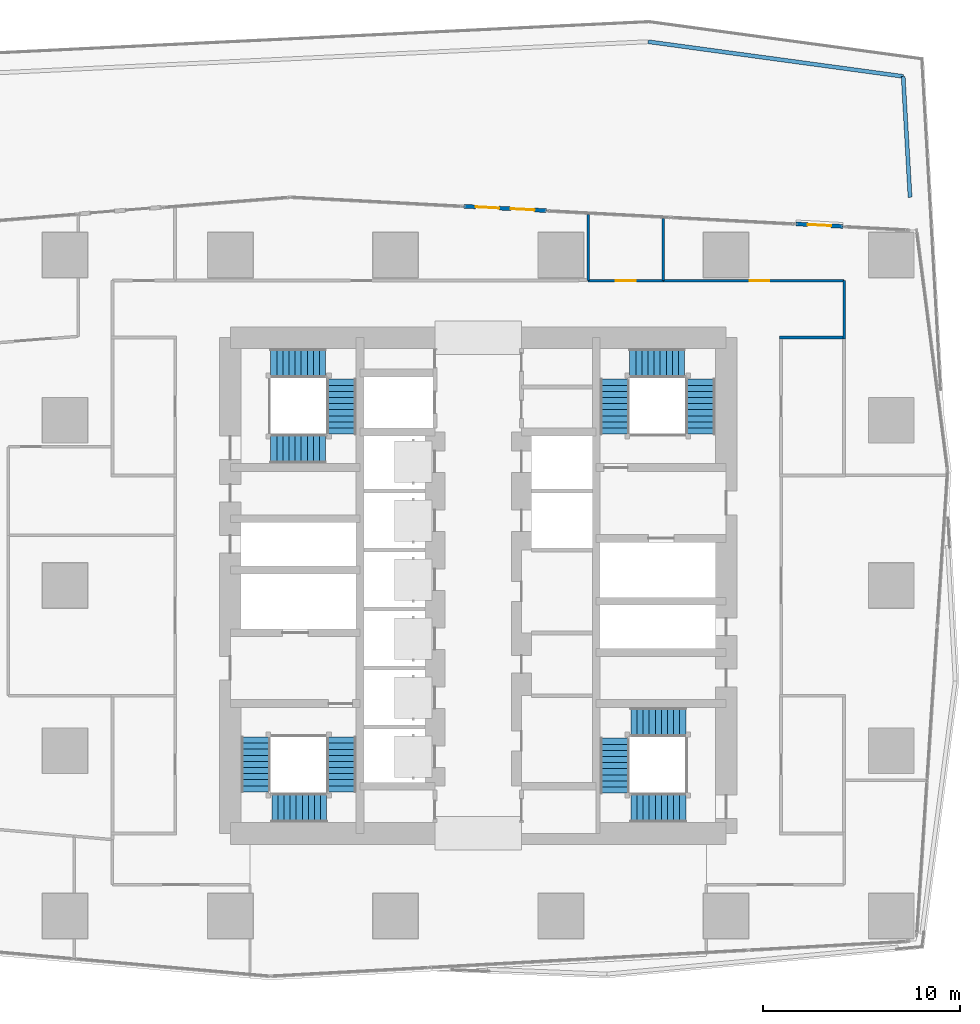
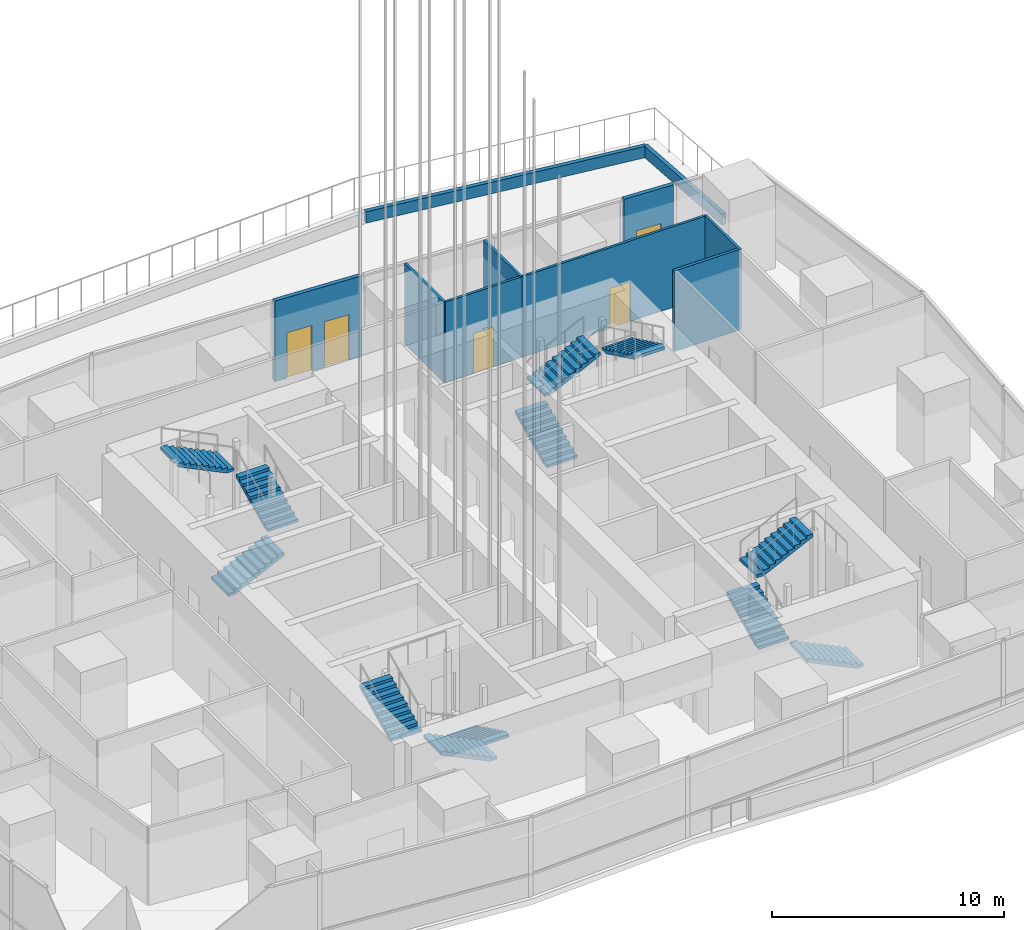
# One storey, part 18 of 39: 12 stair flights, 10 walls, 5 doors, 5 openings, 4 elements without a shape of their own.
"""IFC4 building model written with IfcOpenShell, lengths in metres."""

from ifc_helpers import new_model, si_unit, direction, frame, frame_2d, origin, place, context, subcontext, project, spatial, polyline, rectangle, outline, extrude, material, layer, layer_set, type_object, element, fill, aggregate, save


model = new_model("IFC4")

# Units and contexts
model_context = context("Model", 3, precision=1e-05, world=origin(), true_north=direction((0.0, 1.0)))
body_context = subcontext(model_context, "Body", "Model", "MODEL_VIEW")
ifc_project = project(units=[si_unit("LENGTHUNIT", "METRE"), si_unit("AREAUNIT", "SQUARE_METRE"), si_unit("VOLUMEUNIT", "CUBIC_METRE"), si_unit("PLANEANGLEUNIT", "RADIAN"), si_unit("MASSUNIT", "GRAM", prefix="KILO")], contexts=[model_context])

# Site, building, storey
site_placement = place(None, origin())
site = spatial("IfcSite", under=ifc_project, at=site_placement, CompositionType="ELEMENT")
building_placement = place(site_placement, origin())
building = spatial("IfcBuilding", under=site, at=building_placement, Name="Rekha Terrace Tower", CompositionType="ELEMENT")
storey_placement = place(building_placement, frame((0.0, 0.0, 245.60009765625)))
storey = spatial("IfcBuildingStorey", under=building, at=storey_placement, Name="L62", CompositionType="ELEMENT", Elevation=245.60009765625)

# Wall, openings, doors
ifc_material_1 = material(Name="Aluminium-faced insulated screen wall", Category="aluminium")
ifc_layer_1 = layer(ifc_material_1, 0.199951171875)
ifc_layer_set_1 = layer_set([ifc_layer_1], Name="Aluminium-faced insulated screen wall")
wall_type_1 = type_object("IfcWallType", Name="EW3 terrace door screen wall 200", PredefinedType="SOLIDWALL", material=ifc_layer_set_1)
wall_1_placement = place(storey_placement, frame((41.26025390625, 52.6591796875, 0.0), z_axis=(0.0, 0.0, 1.0), x_axis=(-0.998590720997, 0.053071385312, 0.0)))
wall_1 = element("IfcWall", 1, at=wall_1_placement, inside=storey, type_object=wall_type_1, Name="Terrace door screen wall", PredefinedType="SOLIDWALL", context=body_context, shape_type="SweptSolid", body=[
    extrude(rectangle(XDim=4.199951171875, YDim=0.199951171875, at=frame_2d((2.10009765625, 0.0))), origin(), (0.0, 0.0, 1.0), 4.25),
])
opening_1_placement = place(wall_1_placement, frame((0.60009765625, 0.0, 0.0)))
opening_1 = element("IfcOpeningElement", 2, at=opening_1_placement, cuts=wall_1, Name="Opening ED4", PredefinedType="OPENING", context=body_context, shape_type="SweptSolid", body=[
    extrude(rectangle(XDim=1.199951171875, YDim=2.39990234375, at=frame_2d((0.60009765625, 1.199951171875))), frame((0.0, 0.10986328125, 0.0), z_axis=(0.0, -1.0, 0.0), x_axis=(1.0, 0.0, 0.0)), (0.0, 0.0, 1.0), 0.219970703125),
])
opening_2_placement = place(wall_1_placement, frame((2.39990234375, 0.0, 0.0)))
opening_2 = element("IfcOpeningElement", 3, at=opening_2_placement, cuts=wall_1, Name="Opening ED4", PredefinedType="OPENING", context=body_context, shape_type="SweptSolid", body=[
    extrude(rectangle(XDim=1.199951171875, YDim=2.39990234375, at=frame_2d((0.60009765625, 1.199951171875))), frame((0.0, 0.10986328125, 0.0), z_axis=(0.0, -1.0, 0.0), x_axis=(1.0, 0.0, 0.0)), (0.0, 0.0, 1.0), 0.219970703125),
])
ifc_material_2 = material(Name="Aluminium framed laminated glass door", Category="aluminium")
door_type_1 = type_object("IfcDoorType", Name="ED4 glazed terrace door 1200 x 2400", OperationType="SINGLE_SWING_LEFT", PredefinedType="DOOR", material=ifc_material_2)
door_1_placement = place(opening_1_placement, origin())
door_1 = element("IfcDoor", 4, at=door_1_placement, inside=storey, type_object=door_type_1, Name="Terrace door", OperationType="SINGLE_SWING_LEFT", OverallHeight=2.39990234375, OverallWidth=1.199951171875, PredefinedType="DOOR", context=body_context, shape_type="SweptSolid", body=[
    extrude(rectangle(XDim=1.199951171875, YDim=2.39990234375, at=frame_2d((0.60009765625, 1.199951171875))), frame((0.0, 0.02490234375, 0.0), z_axis=(0.0, -1.0, 0.0), x_axis=(1.0, 0.0, 0.0)), (0.0, 0.0, 1.0), 0.050048828125),
])
fill(opening_1, door_1)
door_2_placement = place(opening_2_placement, origin())
door_2 = element("IfcDoor", 5, at=door_2_placement, inside=storey, type_object=door_type_1, Name="Terrace door", OperationType="SINGLE_SWING_LEFT", OverallHeight=2.39990234375, OverallWidth=1.199951171875, PredefinedType="DOOR", context=body_context, shape_type="SweptSolid", body=[
    extrude(rectangle(XDim=1.199951171875, YDim=2.39990234375, at=frame_2d((0.60009765625, 1.199951171875))), frame((0.0, 0.02490234375, 0.0), z_axis=(0.0, -1.0, 0.0), x_axis=(1.0, 0.0, 0.0)), (0.0, 0.0, 1.0), 0.050048828125),
])
fill(opening_2, door_2)

# Wall, opening, door
wall_2_placement = place(storey_placement, frame((56.344970703125, 51.857421875, 0.0), z_axis=(0.0, 0.0, 1.0), x_axis=(-0.998594691603, 0.052996621608, 0.0)))
wall_2 = element("IfcWall", 6, at=wall_2_placement, inside=storey, type_object=wall_type_1, Name="Maintenance store door screen wall", PredefinedType="SOLIDWALL", context=body_context, shape_type="SweptSolid", body=[
    extrude(rectangle(XDim=2.400146484375, YDim=0.199951171875, at=frame_2d((1.2001953125, 0.0))), origin(), (0.0, 0.0, 1.0), 4.25),
])
opening_3_placement = place(wall_2_placement, frame((0.60009765625, 0.0, 0.0)))
opening_3 = element("IfcOpeningElement", 7, at=opening_3_placement, cuts=wall_2, Name="Opening ED4", PredefinedType="OPENING", context=body_context, shape_type="SweptSolid", body=[
    extrude(rectangle(XDim=1.199951171875, YDim=2.39990234375, at=frame_2d((0.60009765625, 1.199951171875))), frame((0.0, 0.10986328125, 0.0), z_axis=(0.0, -1.0, 0.0), x_axis=(1.0, 0.0, 0.0)), (0.0, 0.0, 1.0), 0.219970703125),
])
door_3_placement = place(opening_3_placement, origin())
door_3 = element("IfcDoor", 8, at=door_3_placement, inside=storey, type_object=door_type_1, Name="Maintenance access door", OperationType="SINGLE_SWING_LEFT", OverallHeight=2.39990234375, OverallWidth=1.199951171875, PredefinedType="DOOR", context=body_context, shape_type="SweptSolid", body=[
    extrude(rectangle(XDim=1.199951171875, YDim=2.39990234375, at=frame_2d((0.60009765625, 1.199951171875))), frame((0.0, 0.02490234375, 0.0), z_axis=(0.0, -1.0, 0.0), x_axis=(1.0, 0.0, 0.0)), (0.0, 0.0, 1.0), 0.050048828125),
])
fill(opening_3, door_3)

# Walls
ifc_material_3 = material(Name="Concrete M40", Category="concrete")
ifc_layer_2 = layer(ifc_material_3, 0.199951171875)
ifc_layer_set_2 = layer_set([ifc_layer_2], Name="Concrete M40")
wall_type_2 = type_object("IfcWallType", Name="PL1 terrace planter wall 200", PredefinedType="USERDEFINED", material=ifc_layer_set_2)
wall_3_placement = place(storey_placement, frame((59.751953125, 53.338623046875, 0.0), z_axis=(0.0, 0.0, 1.0), x_axis=(-0.056693884689, 0.998391608257, 0.0)))
element("IfcWall", 9, at=wall_3_placement, inside=storey, type_object=wall_type_2, Name="Terrace planter", ObjectType="PLANTER", PredefinedType="USERDEFINED", context=body_context, shape_type="SweptSolid", body=[
    extrude(rectangle(XDim=6.15380859375, YDim=0.199951171875, at=frame_2d((3.076904296875, 0.0))), origin(), (0.0, 0.0, 1.0), 0.599853515625),
])
wall_4_placement = place(storey_placement, frame((59.403076171875, 59.482421875, 0.0), z_axis=(0.0, 0.0, 1.0), x_axis=(-0.990869190114, 0.13482673356, 0.0)))
element("IfcWall", 10, at=wall_4_placement, inside=storey, type_object=wall_type_2, Name="Terrace planter", ObjectType="PLANTER", PredefinedType="USERDEFINED", context=body_context, shape_type="SweptSolid", body=[
    extrude(rectangle(XDim=13.082763671875, YDim=0.199951171875, at=frame_2d((6.54150390625, 0.0))), origin(), (0.0, 0.0, 1.0), 0.599853515625),
])
ifc_material_4 = material(Name="Concrete block masonry, 1 hour", Category="masonry")
ifc_layer_3 = layer(ifc_material_4, 0.14990234375)
ifc_layer_set_3 = layer_set([ifc_layer_3], Name="Concrete block masonry, 1 hour")
wall_type_3 = type_object("IfcWallType", Name="WP2 150 tenancy partition", PredefinedType="PARTITIONING", material=ifc_layer_set_3)
wall_5_placement = place(storey_placement, frame((53.125, 46.199951171875, 0.0), z_axis=(0.0, 0.0, 1.0), x_axis=(1.0, 0.0, 0.0)))
element("IfcWall", 11, at=wall_5_placement, inside=storey, type_object=wall_type_3, Name="Women's WC wall L62", PredefinedType="PARTITIONING", context=body_context, shape_type="SweptSolid", body=[
    extrude(rectangle(XDim=3.35009765625, YDim=0.14990234375, at=frame_2d((1.675048828125, 0.0))), origin(), (0.0, 0.0, 1.0), 4.25),
])

# Wall, opening, door
ifc_material_5 = material(Name="Two layers of fire-rated gypsum board each side on steel studs, acoustic quilt, 1 hour", Category="steel")
ifc_layer_4 = layer(ifc_material_5, 0.125)
ifc_layer_set_4 = layer_set([ifc_layer_4], Name="Two layers of fire-rated gypsum board each side on steel studs, acoustic quilt, 1 hour")
wall_type_4 = type_object("IfcWallType", Name="WP3 125 office partition", PredefinedType="PARTITIONING", material=ifc_layer_set_4)
wall_6_placement = place(storey_placement, frame((56.39990234375, 49.10009765625, 0.0), z_axis=(0.0, 0.0, 1.0), x_axis=(-1.0, 0.0, 0.0)))
wall_6 = element("IfcWall", 12, at=wall_6_placement, inside=storey, type_object=wall_type_4, Name="Partition L62-07", PredefinedType="PARTITIONING", context=body_context, shape_type="SweptSolid", body=[
    extrude(rectangle(XDim=9.185791015625, YDim=0.125, at=frame_2d((4.5927734375, 0.0))), origin(), (0.0, 0.0, 1.0), 4.25),
])
opening_4_placement = place(wall_6_placement, frame((3.79296875, 0.0, 0.0)))
opening_4 = element("IfcOpeningElement", 13, at=opening_4_placement, cuts=wall_6, Name="Opening D9", PredefinedType="OPENING", context=body_context, shape_type="SweptSolid", body=[
    extrude(rectangle(XDim=1.0, YDim=2.10009765625, at=frame_2d((0.5, 1.050048828125))), frame((0.0, 0.072509765625, 0.0), z_axis=(0.0, -1.0, 0.0), x_axis=(1.0, 0.0, 0.0)), (0.0, 0.0, 1.0), 0.14501953125),
])
ifc_material_6 = material(Name="Timber fire door", Category="wood")
door_type_2 = type_object("IfcDoorType", Name="D9 1000x2100 office door", OperationType="SINGLE_SWING_LEFT", PredefinedType="DOOR", material=ifc_material_6)
door_4_placement = place(opening_4_placement, origin())
door_4 = element("IfcDoor", 14, at=door_4_placement, inside=storey, type_object=door_type_2, Name="Door director's office L62", OperationType="SINGLE_SWING_LEFT", OverallHeight=2.10009765625, OverallWidth=1.0, PredefinedType="DOOR", context=body_context, shape_type="SweptSolid", body=[
    extrude(rectangle(XDim=1.0, YDim=2.10009765625, at=frame_2d((0.5, 1.050048828125))), frame((0.0, 0.02490234375, 0.0), z_axis=(0.0, -1.0, 0.0), x_axis=(1.0, 0.0, 0.0)), (0.0, 0.0, 1.0), 0.050048828125),
])
fill(opening_4, door_4)

# Walls
wall_7_placement = place(storey_placement, frame((47.214111328125, 49.10009765625, 0.0), z_axis=(0.0, 0.0, 1.0), x_axis=(0.0, 1.0, 0.0)))
element("IfcWall", 15, at=wall_7_placement, inside=storey, type_object=wall_type_4, Name="Partition L62-07", PredefinedType="PARTITIONING", context=body_context, shape_type="SweptSolid", body=[
    extrude(rectangle(XDim=3.162841796875, YDim=0.125, at=frame_2d((1.58154296875, 0.0))), origin(), (0.0, 0.0, 1.0), 4.25),
])
wall_8_placement = place(storey_placement, frame((56.39990234375, 46.125, 0.0), z_axis=(0.0, 0.0, 1.0), x_axis=(0.0, 1.0, 0.0)))
element("IfcWall", 16, at=wall_8_placement, inside=storey, type_object=wall_type_4, Name="Partition L62-07", PredefinedType="PARTITIONING", context=body_context, shape_type="SweptSolid", body=[
    extrude(rectangle(XDim=2.97509765625, YDim=0.125, at=frame_2d((1.487548828125, 0.0))), origin(), (0.0, 0.0, 1.0), 4.25),
])

# Wall, opening, door
wall_9_placement = place(storey_placement, frame((47.212890625, 49.10009765625, 0.0), z_axis=(0.0, 0.0, 1.0), x_axis=(-1.0, 0.0, 0.0)))
wall_9 = element("IfcWall", 17, at=wall_9_placement, inside=storey, type_object=wall_type_4, Name="Partition L62-08", PredefinedType="PARTITIONING", context=body_context, shape_type="SweptSolid", body=[
    extrude(rectangle(XDim=3.823974609375, YDim=0.125, at=frame_2d((1.912109375, 0.0))), origin(), (0.0, 0.0, 1.0), 4.25),
])
opening_5_placement = place(wall_9_placement, frame((1.412109375, 0.0, 0.0)))
opening_5 = element("IfcOpeningElement", 18, at=opening_5_placement, cuts=wall_9, Name="Opening D9", PredefinedType="OPENING", context=body_context, shape_type="SweptSolid", body=[
    extrude(rectangle(XDim=1.0, YDim=2.10009765625, at=frame_2d((0.5, 1.050048828125))), frame((0.0, 0.072509765625, 0.0), z_axis=(0.0, -1.0, 0.0), x_axis=(1.0, 0.0, 0.0)), (0.0, 0.0, 1.0), 0.14501953125),
])
door_5_placement = place(opening_5_placement, origin())
door_5 = element("IfcDoor", 19, at=door_5_placement, inside=storey, type_object=door_type_2, Name="Door director's office L62", OperationType="SINGLE_SWING_LEFT", OverallHeight=2.10009765625, OverallWidth=1.0, PredefinedType="DOOR", context=body_context, shape_type="SweptSolid", body=[
    extrude(rectangle(XDim=1.0, YDim=2.10009765625, at=frame_2d((0.5, 1.050048828125))), frame((0.0, 0.02490234375, 0.0), z_axis=(0.0, -1.0, 0.0), x_axis=(1.0, 0.0, 0.0)), (0.0, 0.0, 1.0), 0.050048828125),
])
fill(opening_5, door_5)

# Wall
wall_10_placement = place(storey_placement, frame((43.388916015625, 49.10009765625, 0.0), z_axis=(0.0, 0.0, 1.0), x_axis=(0.0, 1.0, 0.0)))
element("IfcWall", 20, at=wall_10_placement, inside=storey, type_object=wall_type_4, Name="Partition L62-08", PredefinedType="PARTITIONING", context=body_context, shape_type="SweptSolid", body=[
    extrude(rectangle(XDim=3.365966796875, YDim=0.125, at=frame_2d((1.68310546875, 0.0))), origin(), (0.0, 0.0, 1.0), 4.25),
])

# Stair, stair flights
stair_type = type_object("IfcStairType", Name="ST30 stair, 30 risers of 150, going 310, 1500 wide flights, 3 flights", PredefinedType="HALF_TURN_STAIR", material=ifc_material_3)
stair_1_placement = place(storey_placement, origin())
stair_1 = element("IfcStair", 21, at=stair_1_placement, inside=storey, type_object=stair_type, Name="Stair ST1 L62 to L63", PredefinedType="HALF_TURN_STAIR")
stair_flight_type = type_object("IfcStairFlightType", Name="SF10 stair flight, 10 risers of 150, going 310, 1500 wide", PredefinedType="STRAIGHT", material=ifc_material_3)
stair_flight_1_placement = place(storey_placement, frame((30.85009765625, 25.89990234375, 0.0), z_axis=(0.0, 0.0, 1.0), x_axis=(0.0, -1.0, 0.0)))
stair_flight_1 = element("IfcStairFlight", 22, at=stair_flight_1_placement, type_object=stair_flight_type, Name="ST1 flight 1", NumberOfRisers=10, NumberOfTreads=9, PredefinedType="STRAIGHT", RiserHeight=0.15, TreadLength=0.31, context=body_context, shape_type="SweptSolid", body=[
    extrude(outline(polyline([(0.0, 0.0), (0.0, 0.14990234375), (0.31005859375, 0.14990234375), (0.31005859375, 0.300048828125), (0.6201171875, 0.300048828125), (0.6201171875, 0.449951171875), (0.929931640625, 0.449951171875), (0.929931640625, 0.60009765625), (1.239990234375, 0.60009765625), (1.239990234375, 0.75), (1.550048828125, 0.75), (1.550048828125, 0.89990234375), (1.860107421875, 0.89990234375), (1.860107421875, 1.050048828125), (2.169921875, 1.050048828125), (2.169921875, 1.199951171875), (2.47998046875, 1.199951171875), (2.47998046875, 1.35009765625), (2.7900390625, 1.35009765625), (2.7900390625, 1.5), (2.7900390625, 1.183349609375), (0.34423828125, 0.0), (0.0, 0.0)])), frame((0.0, 0.75, 0.0), z_axis=(0.0, -1.0, 0.0), x_axis=(1.0, 0.0, 0.0)), (0.0, 0.0, 1.0), 1.5),
])
stair_flight_2_placement = place(storey_placement, frame((30.10009765625, 22.300048828125, 1.5), z_axis=(0.0, 0.0, 1.0), x_axis=(-1.0, 0.0, 0.0)))
stair_flight_2 = element("IfcStairFlight", 23, at=stair_flight_2_placement, type_object=stair_flight_type, Name="ST1 flight 2", NumberOfRisers=10, NumberOfTreads=9, PredefinedType="STRAIGHT", RiserHeight=0.15, TreadLength=0.31, context=body_context, shape_type="SweptSolid", body=[
    extrude(outline(polyline([(0.0, 0.0), (0.0, 0.14990234375), (0.31005859375, 0.14990234375), (0.31005859375, 0.300048828125), (0.6201171875, 0.300048828125), (0.6201171875, 0.449951171875), (0.929931640625, 0.449951171875), (0.929931640625, 0.60009765625), (1.239990234375, 0.60009765625), (1.239990234375, 0.75), (1.550048828125, 0.75), (1.550048828125, 0.89990234375), (1.860107421875, 0.89990234375), (1.860107421875, 1.050048828125), (2.169921875, 1.050048828125), (2.169921875, 1.199951171875), (2.47998046875, 1.199951171875), (2.47998046875, 1.35009765625), (2.7900390625, 1.35009765625), (2.7900390625, 1.5), (2.7900390625, 1.183349609375), (0.34423828125, 0.0), (0.0, 0.0)])), frame((0.0, 0.75, 0.0), z_axis=(0.0, -1.0, 0.0), x_axis=(1.0, 0.0, 0.0)), (0.0, 0.0, 1.0), 1.5),
])
stair_flight_3_placement = place(storey_placement, frame((26.5, 23.110107421875, 3.0), z_axis=(0.0, 0.0, 1.0), x_axis=(0.0, 1.0, 0.0)))
stair_flight_3 = element("IfcStairFlight", 24, at=stair_flight_3_placement, type_object=stair_flight_type, Name="ST1 flight 3", NumberOfRisers=10, NumberOfTreads=9, PredefinedType="STRAIGHT", RiserHeight=0.15, TreadLength=0.31, context=body_context, shape_type="SweptSolid", body=[
    extrude(outline(polyline([(0.0, 0.0), (0.0, 0.14990234375), (0.31005859375, 0.14990234375), (0.31005859375, 0.300048828125), (0.6201171875, 0.300048828125), (0.6201171875, 0.449951171875), (0.929931640625, 0.449951171875), (0.929931640625, 0.60009765625), (1.239990234375, 0.60009765625), (1.239990234375, 0.75), (1.550048828125, 0.75), (1.550048828125, 0.89990234375), (1.860107421875, 0.89990234375), (1.860107421875, 1.050048828125), (2.169921875, 1.050048828125), (2.169921875, 1.199951171875), (2.47998046875, 1.199951171875), (2.47998046875, 1.35009765625), (2.7900390625, 1.35009765625), (2.7900390625, 1.5), (2.7900390625, 1.183349609375), (0.34423828125, 0.0), (0.0, 0.0)])), frame((0.0, 0.75, 0.0), z_axis=(0.0, -1.0, 0.0), x_axis=(1.0, 0.0, 0.0)), (0.0, 0.0, 1.0), 1.5),
])
aggregate(stair_1, [stair_flight_1, stair_flight_2, stair_flight_3])

stair_2_placement = place(storey_placement, origin())
stair_2 = element("IfcStair", 25, at=stair_2_placement, inside=storey, type_object=stair_type, Name="Stair ST2 L62 to L63", PredefinedType="HALF_TURN_STAIR")
stair_flight_4_placement = place(storey_placement, frame((44.75, 41.300048828125, 0.0), z_axis=(0.0, 0.0, 1.0), x_axis=(0.0, 1.0, 0.0)))
stair_flight_4 = element("IfcStairFlight", 26, at=stair_flight_4_placement, type_object=stair_flight_type, Name="ST2 flight 1", NumberOfRisers=10, NumberOfTreads=9, PredefinedType="STRAIGHT", RiserHeight=0.15, TreadLength=0.31, context=body_context, shape_type="SweptSolid", body=[
    extrude(outline(polyline([(0.0, 0.0), (0.0, 0.14990234375), (0.31005859375, 0.14990234375), (0.31005859375, 0.300048828125), (0.6201171875, 0.300048828125), (0.6201171875, 0.449951171875), (0.929931640625, 0.449951171875), (0.929931640625, 0.60009765625), (1.239990234375, 0.60009765625), (1.239990234375, 0.75), (1.550048828125, 0.75), (1.550048828125, 0.89990234375), (1.860107421875, 0.89990234375), (1.860107421875, 1.050048828125), (2.169921875, 1.050048828125), (2.169921875, 1.199951171875), (2.47998046875, 1.199951171875), (2.47998046875, 1.35009765625), (2.7900390625, 1.35009765625), (2.7900390625, 1.5), (2.7900390625, 1.183349609375), (0.34423828125, 0.0), (0.0, 0.0)])), frame((0.0, 0.75, 0.0), z_axis=(0.0, -1.0, 0.0), x_axis=(1.0, 0.0, 0.0)), (0.0, 0.0, 1.0), 1.5),
])
stair_flight_5_placement = place(storey_placement, frame((45.5, 44.89990234375, 1.5), z_axis=(0.0, 0.0, 1.0), x_axis=(1.0, 0.0, 0.0)))
stair_flight_5 = element("IfcStairFlight", 27, at=stair_flight_5_placement, type_object=stair_flight_type, Name="ST2 flight 2", NumberOfRisers=10, NumberOfTreads=9, PredefinedType="STRAIGHT", RiserHeight=0.15, TreadLength=0.31, context=body_context, shape_type="SweptSolid", body=[
    extrude(outline(polyline([(0.0, 0.0), (0.0, 0.14990234375), (0.31005859375, 0.14990234375), (0.31005859375, 0.300048828125), (0.6201171875, 0.300048828125), (0.6201171875, 0.449951171875), (0.929931640625, 0.449951171875), (0.929931640625, 0.60009765625), (1.239990234375, 0.60009765625), (1.239990234375, 0.75), (1.550048828125, 0.75), (1.550048828125, 0.89990234375), (1.860107421875, 0.89990234375), (1.860107421875, 1.050048828125), (2.169921875, 1.050048828125), (2.169921875, 1.199951171875), (2.47998046875, 1.199951171875), (2.47998046875, 1.35009765625), (2.7900390625, 1.35009765625), (2.7900390625, 1.5), (2.7900390625, 1.183349609375), (0.34423828125, 0.0), (0.0, 0.0)])), frame((0.0, 0.75, 0.0), z_axis=(0.0, -1.0, 0.0), x_axis=(1.0, 0.0, 0.0)), (0.0, 0.0, 1.0), 1.5),
])
stair_flight_6_placement = place(storey_placement, frame((49.10009765625, 44.090087890625, 3.0), z_axis=(0.0, 0.0, 1.0), x_axis=(0.0, -1.0, 0.0)))
stair_flight_6 = element("IfcStairFlight", 28, at=stair_flight_6_placement, type_object=stair_flight_type, Name="ST2 flight 3", NumberOfRisers=10, NumberOfTreads=9, PredefinedType="STRAIGHT", RiserHeight=0.15, TreadLength=0.31, context=body_context, shape_type="SweptSolid", body=[
    extrude(outline(polyline([(0.0, 0.0), (0.0, 0.14990234375), (0.31005859375, 0.14990234375), (0.31005859375, 0.300048828125), (0.6201171875, 0.300048828125), (0.6201171875, 0.449951171875), (0.929931640625, 0.449951171875), (0.929931640625, 0.60009765625), (1.239990234375, 0.60009765625), (1.239990234375, 0.75), (1.550048828125, 0.75), (1.550048828125, 0.89990234375), (1.860107421875, 0.89990234375), (1.860107421875, 1.050048828125), (2.169921875, 1.050048828125), (2.169921875, 1.199951171875), (2.47998046875, 1.199951171875), (2.47998046875, 1.35009765625), (2.7900390625, 1.35009765625), (2.7900390625, 1.5), (2.7900390625, 1.183349609375), (0.34423828125, 0.0), (0.0, 0.0)])), frame((0.0, 0.75, 0.0), z_axis=(0.0, -1.0, 0.0), x_axis=(1.0, 0.0, 0.0)), (0.0, 0.0, 1.0), 1.5),
])
aggregate(stair_2, [stair_flight_4, stair_flight_5, stair_flight_6])

stair_3_placement = place(storey_placement, origin())
stair_3 = element("IfcStair", 29, at=stair_3_placement, inside=storey, type_object=stair_type, Name="Stair ST3 L62 to L63", PredefinedType="HALF_TURN_STAIR")
stair_flight_7_placement = place(storey_placement, frame((48.35009765625, 22.300048828125, 0.0), z_axis=(0.0, 0.0, 1.0), x_axis=(-1.0, 0.0, 0.0)))
stair_flight_7 = element("IfcStairFlight", 30, at=stair_flight_7_placement, type_object=stair_flight_type, Name="ST3 flight 1", NumberOfRisers=10, NumberOfTreads=9, PredefinedType="STRAIGHT", RiserHeight=0.15, TreadLength=0.31, context=body_context, shape_type="SweptSolid", body=[
    extrude(outline(polyline([(0.0, 0.0), (0.0, 0.14990234375), (0.31005859375, 0.14990234375), (0.31005859375, 0.300048828125), (0.6201171875, 0.300048828125), (0.6201171875, 0.449951171875), (0.929931640625, 0.449951171875), (0.929931640625, 0.60009765625), (1.239990234375, 0.60009765625), (1.239990234375, 0.75), (1.550048828125, 0.75), (1.550048828125, 0.89990234375), (1.860107421875, 0.89990234375), (1.860107421875, 1.050048828125), (2.169921875, 1.050048828125), (2.169921875, 1.199951171875), (2.47998046875, 1.199951171875), (2.47998046875, 1.35009765625), (2.7900390625, 1.35009765625), (2.7900390625, 1.5), (2.7900390625, 1.183349609375), (0.34423828125, 0.0), (0.0, 0.0)])), frame((0.0, 0.75, 0.0), z_axis=(0.0, -1.0, 0.0), x_axis=(1.0, 0.0, 0.0)), (0.0, 0.0, 1.0), 1.5),
])
stair_flight_8_placement = place(storey_placement, frame((44.75, 23.050048828125, 1.5), z_axis=(0.0, 0.0, 1.0), x_axis=(0.0, 1.0, 0.0)))
stair_flight_8 = element("IfcStairFlight", 31, at=stair_flight_8_placement, type_object=stair_flight_type, Name="ST3 flight 2", NumberOfRisers=10, NumberOfTreads=9, PredefinedType="STRAIGHT", RiserHeight=0.15, TreadLength=0.31, context=body_context, shape_type="SweptSolid", body=[
    extrude(outline(polyline([(0.0, 0.0), (0.0, 0.14990234375), (0.31005859375, 0.14990234375), (0.31005859375, 0.300048828125), (0.6201171875, 0.300048828125), (0.6201171875, 0.449951171875), (0.929931640625, 0.449951171875), (0.929931640625, 0.60009765625), (1.239990234375, 0.60009765625), (1.239990234375, 0.75), (1.550048828125, 0.75), (1.550048828125, 0.89990234375), (1.860107421875, 0.89990234375), (1.860107421875, 1.050048828125), (2.169921875, 1.050048828125), (2.169921875, 1.199951171875), (2.47998046875, 1.199951171875), (2.47998046875, 1.35009765625), (2.7900390625, 1.35009765625), (2.7900390625, 1.5), (2.7900390625, 1.183349609375), (0.34423828125, 0.0), (0.0, 0.0)])), frame((0.0, 0.75, 0.0), z_axis=(0.0, -1.0, 0.0), x_axis=(1.0, 0.0, 0.0)), (0.0, 0.0, 1.0), 1.5),
])
stair_flight_9_placement = place(storey_placement, frame((45.56005859375, 26.64990234375, 3.0), z_axis=(0.0, 0.0, 1.0), x_axis=(1.0, 0.0, 0.0)))
stair_flight_9 = element("IfcStairFlight", 32, at=stair_flight_9_placement, type_object=stair_flight_type, Name="ST3 flight 3", NumberOfRisers=10, NumberOfTreads=9, PredefinedType="STRAIGHT", RiserHeight=0.15, TreadLength=0.31, context=body_context, shape_type="SweptSolid", body=[
    extrude(outline(polyline([(0.0, 0.0), (0.0, 0.14990234375), (0.31005859375, 0.14990234375), (0.31005859375, 0.300048828125), (0.6201171875, 0.300048828125), (0.6201171875, 0.449951171875), (0.929931640625, 0.449951171875), (0.929931640625, 0.60009765625), (1.239990234375, 0.60009765625), (1.239990234375, 0.75), (1.550048828125, 0.75), (1.550048828125, 0.89990234375), (1.860107421875, 0.89990234375), (1.860107421875, 1.050048828125), (2.169921875, 1.050048828125), (2.169921875, 1.199951171875), (2.47998046875, 1.199951171875), (2.47998046875, 1.35009765625), (2.7900390625, 1.35009765625), (2.7900390625, 1.5), (2.7900390625, 1.183349609375), (0.34423828125, 0.0), (0.0, 0.0)])), frame((0.0, 0.75, 0.0), z_axis=(0.0, -1.0, 0.0), x_axis=(1.0, 0.0, 0.0)), (0.0, 0.0, 1.0), 1.5),
])
aggregate(stair_3, [stair_flight_7, stair_flight_8, stair_flight_9])

stair_4_placement = place(storey_placement, origin())
stair_4 = element("IfcStair", 33, at=stair_4_placement, inside=storey, type_object=stair_type, Name="Stair ST4 L62 to L63", PredefinedType="HALF_TURN_STAIR")
stair_flight_10_placement = place(storey_placement, frame((27.25, 40.550048828125, 0.0), z_axis=(0.0, 0.0, 1.0), x_axis=(1.0, 0.0, 0.0)))
stair_flight_10 = element("IfcStairFlight", 34, at=stair_flight_10_placement, type_object=stair_flight_type, Name="ST4 flight 1", NumberOfRisers=10, NumberOfTreads=9, PredefinedType="STRAIGHT", RiserHeight=0.15, TreadLength=0.31, context=body_context, shape_type="SweptSolid", body=[
    extrude(outline(polyline([(0.0, 0.0), (0.0, 0.14990234375), (0.31005859375, 0.14990234375), (0.31005859375, 0.300048828125), (0.6201171875, 0.300048828125), (0.6201171875, 0.449951171875), (0.929931640625, 0.449951171875), (0.929931640625, 0.60009765625), (1.239990234375, 0.60009765625), (1.239990234375, 0.75), (1.550048828125, 0.75), (1.550048828125, 0.89990234375), (1.860107421875, 0.89990234375), (1.860107421875, 1.050048828125), (2.169921875, 1.050048828125), (2.169921875, 1.199951171875), (2.47998046875, 1.199951171875), (2.47998046875, 1.35009765625), (2.7900390625, 1.35009765625), (2.7900390625, 1.5), (2.7900390625, 1.183349609375), (0.34423828125, 0.0), (0.0, 0.0)])), frame((0.0, 0.75, 0.0), z_axis=(0.0, -1.0, 0.0), x_axis=(1.0, 0.0, 0.0)), (0.0, 0.0, 1.0), 1.5),
])
stair_flight_11_placement = place(storey_placement, frame((30.85009765625, 41.300048828125, 1.5), z_axis=(0.0, 0.0, 1.0), x_axis=(0.0, 1.0, 0.0)))
stair_flight_11 = element("IfcStairFlight", 35, at=stair_flight_11_placement, type_object=stair_flight_type, Name="ST4 flight 2", NumberOfRisers=10, NumberOfTreads=9, PredefinedType="STRAIGHT", RiserHeight=0.15, TreadLength=0.31, context=body_context, shape_type="SweptSolid", body=[
    extrude(outline(polyline([(0.0, 0.0), (0.0, 0.14990234375), (0.31005859375, 0.14990234375), (0.31005859375, 0.300048828125), (0.6201171875, 0.300048828125), (0.6201171875, 0.449951171875), (0.929931640625, 0.449951171875), (0.929931640625, 0.60009765625), (1.239990234375, 0.60009765625), (1.239990234375, 0.75), (1.550048828125, 0.75), (1.550048828125, 0.89990234375), (1.860107421875, 0.89990234375), (1.860107421875, 1.050048828125), (2.169921875, 1.050048828125), (2.169921875, 1.199951171875), (2.47998046875, 1.199951171875), (2.47998046875, 1.35009765625), (2.7900390625, 1.35009765625), (2.7900390625, 1.5), (2.7900390625, 1.183349609375), (0.34423828125, 0.0), (0.0, 0.0)])), frame((0.0, 0.75, 0.0), z_axis=(0.0, -1.0, 0.0), x_axis=(1.0, 0.0, 0.0)), (0.0, 0.0, 1.0), 1.5),
])
stair_flight_12_placement = place(storey_placement, frame((30.0400390625, 44.89990234375, 3.0), z_axis=(0.0, 0.0, 1.0), x_axis=(-1.0, 0.0, 0.0)))
stair_flight_12 = element("IfcStairFlight", 36, at=stair_flight_12_placement, type_object=stair_flight_type, Name="ST4 flight 3", NumberOfRisers=10, NumberOfTreads=9, PredefinedType="STRAIGHT", RiserHeight=0.15, TreadLength=0.31, context=body_context, shape_type="SweptSolid", body=[
    extrude(outline(polyline([(0.0, 0.0), (0.0, 0.14990234375), (0.31005859375, 0.14990234375), (0.31005859375, 0.300048828125), (0.6201171875, 0.300048828125), (0.6201171875, 0.449951171875), (0.929931640625, 0.449951171875), (0.929931640625, 0.60009765625), (1.239990234375, 0.60009765625), (1.239990234375, 0.75), (1.550048828125, 0.75), (1.550048828125, 0.89990234375), (1.860107421875, 0.89990234375), (1.860107421875, 1.050048828125), (2.169921875, 1.050048828125), (2.169921875, 1.199951171875), (2.47998046875, 1.199951171875), (2.47998046875, 1.35009765625), (2.7900390625, 1.35009765625), (2.7900390625, 1.5), (2.7900390625, 1.183349609375), (0.34423828125, 0.0), (0.0, 0.0)])), frame((0.0, 0.75, 0.0), z_axis=(0.0, -1.0, 0.0), x_axis=(1.0, 0.0, 0.0)), (0.0, 0.0, 1.0), 1.5),
])
aggregate(stair_4, [stair_flight_10, stair_flight_11, stair_flight_12])

save(model, "model.ifc")
